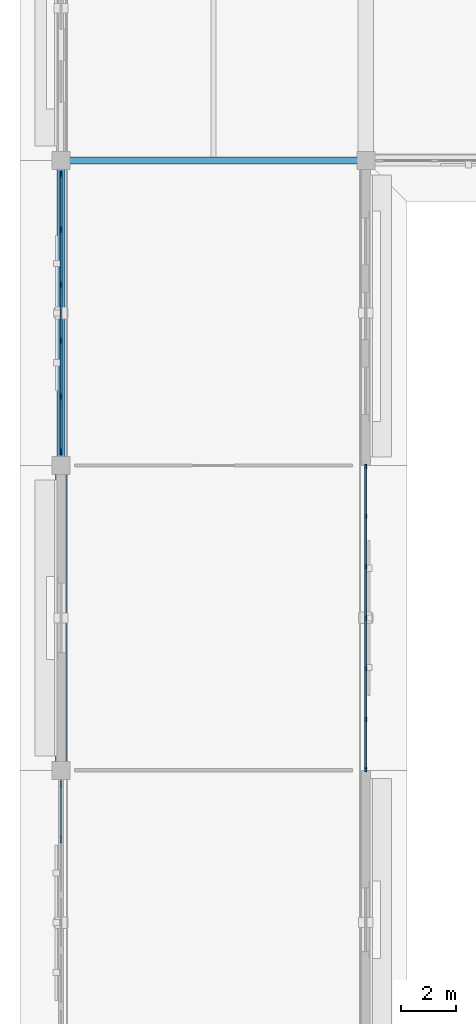
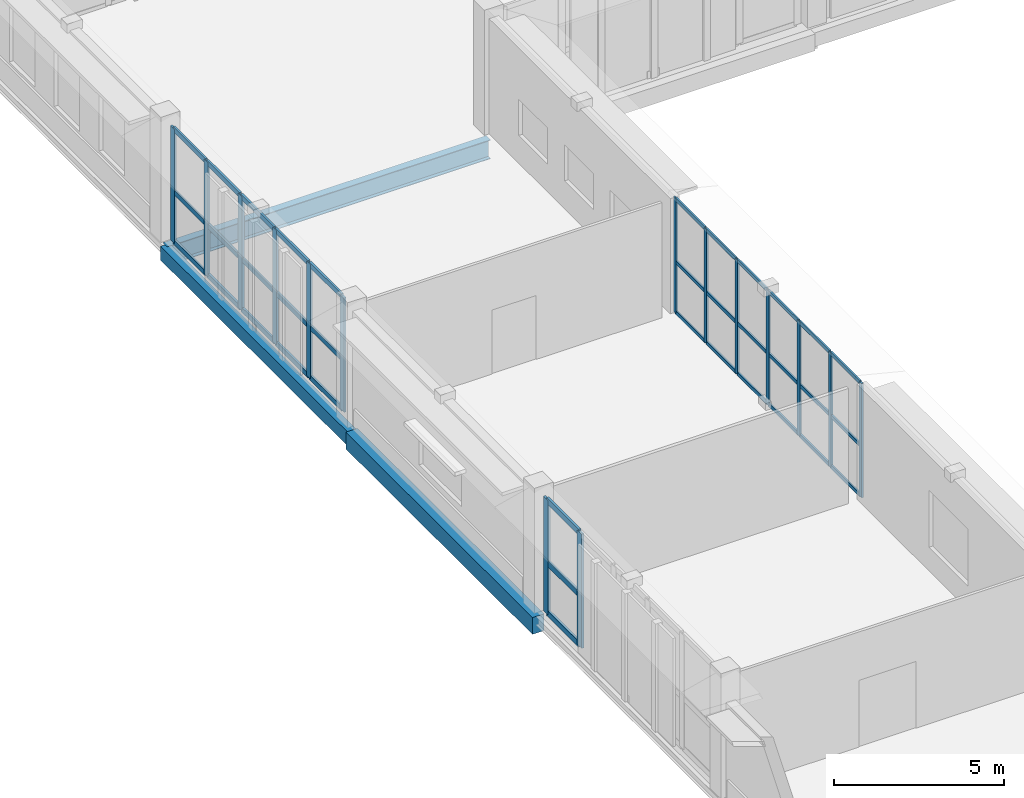
# One storey, part 37 of 118: 51 members, 3 beams, 3 elements without a shape of their own.
"""IFC4 building model written with IfcOpenShell, lengths in metres."""

from ifc_helpers import new_model, si_unit, direction, frame, origin, origin_2d, place, context, subcontext, project, spatial, rectangle, hollow_rectangle, i_section, extrude, material, material_profile, profile_set, type_object, element, aggregate, save


model = new_model("IFC4")

# Units and contexts
model_context = context("Model", 3, precision=1e-05, world=origin(), true_north=direction((0.0, 1.0)))
body_context = subcontext(model_context, "Body", "Model", "MODEL_VIEW")
ifc_project = project(units=[si_unit("LENGTHUNIT", "METRE"), si_unit("AREAUNIT", "SQUARE_METRE"), si_unit("VOLUMEUNIT", "CUBIC_METRE"), si_unit("PLANEANGLEUNIT", "RADIAN"), si_unit("MASSUNIT", "GRAM", prefix="KILO")], contexts=[model_context])

# Site, building, storey
site_placement = place(None, origin())
site = spatial("IfcSite", under=ifc_project, at=site_placement, CompositionType="ELEMENT")
building_placement = place(site_placement, origin())
building = spatial("IfcBuilding", under=site, at=building_placement, Name="Luwafu Chhajja Arena", CompositionType="ELEMENT")
storey_placement = place(building_placement, frame((0.0, 0.0, 10.199951171875)))
storey = spatial("IfcBuildingStorey", under=building, at=storey_placement, Name="L02", CompositionType="ELEMENT", Elevation=10.199951171875)

# Curtain wall, members
ifc_material_1 = material(Name="Anodised bronze aluminium", Category="aluminium")
curtain_wall_type_1 = type_object("IfcCurtainWallType", Name="Community Hall Street Curtain Wall", PredefinedType="USERDEFINED", material=ifc_material_1)
curtain_wall_1_placement = place(storey_placement, origin())
curtain_wall_1 = element("IfcCurtainWall", 1, at=curtain_wall_1_placement, inside=storey, type_object=curtain_wall_type_1, Name="L02 Curtain Wall CWG-L02-V01_06", ObjectType="CURTAIN WALL", PredefinedType="USERDEFINED")
ifc_material_profile_1 = material_profile(ifc_material_1, rectangle(XDim=0.06005859375, YDim=0.159912109375, at=origin_2d()), Name="CWM 60x160")
ifc_profile_set_1 = profile_set([ifc_material_profile_1], Name="Anodised bronze aluminium")
member_type_1 = type_object("IfcMemberType", Name="Bronze Curtain Wall Mullion 60x160", PredefinedType="MULLION", material=ifc_profile_set_1)
member_1_placement = place(storey_placement, frame((11.0, 66.030029296875, 0.030029296875), z_axis=(0.0, 0.0, 1.0), x_axis=(-1.0, 0.0, 0.0)))
member_1 = element("IfcMember", 2, at=member_1_placement, type_object=member_type_1, Name="CW-09 mullion 1", PredefinedType="MULLION", context=body_context, shape_type="SweptSolid", body=[
    extrude(rectangle(XDim=0.06005859375, YDim=0.159912109375, at=origin_2d()), origin(), (0.0, 0.0, 1.0), 4.114990234375),
])
member_2_placement = place(storey_placement, frame((11.0, 67.833251953125, 0.030029296875), z_axis=(0.0, 0.0, 1.0), x_axis=(-1.0, 0.0, 0.0)))
member_2 = element("IfcMember", 3, at=member_2_placement, type_object=member_type_1, Name="CW-09 mullion 2", PredefinedType="MULLION", context=body_context, shape_type="SweptSolid", body=[
    extrude(rectangle(XDim=0.06005859375, YDim=0.159912109375, at=origin_2d()), origin(), (0.0, 0.0, 1.0), 4.114990234375),
])
member_3_placement = place(storey_placement, frame((11.0, 69.666748046875, 0.030029296875), z_axis=(0.0, 0.0, 1.0), x_axis=(-1.0, 0.0, 0.0)))
member_3 = element("IfcMember", 4, at=member_3_placement, type_object=member_type_1, Name="CW-09 mullion 3", PredefinedType="MULLION", context=body_context, shape_type="SweptSolid", body=[
    extrude(rectangle(XDim=0.06005859375, YDim=0.159912109375, at=origin_2d()), origin(), (0.0, 0.0, 1.0), 4.114990234375),
])
member_4_placement = place(storey_placement, frame((11.0, 71.5, 0.030029296875), z_axis=(0.0, 0.0, 1.0), x_axis=(-1.0, 0.0, 0.0)))
member_4 = element("IfcMember", 5, at=member_4_placement, type_object=member_type_1, Name="CW-09 mullion 4", PredefinedType="MULLION", context=body_context, shape_type="SweptSolid", body=[
    extrude(rectangle(XDim=0.06005859375, YDim=0.159912109375, at=origin_2d()), origin(), (0.0, 0.0, 1.0), 4.114990234375),
])
member_5_placement = place(storey_placement, frame((11.0, 73.333251953125, 0.030029296875), z_axis=(0.0, 0.0, 1.0), x_axis=(-1.0, 0.0, 0.0)))
member_5 = element("IfcMember", 6, at=member_5_placement, type_object=member_type_1, Name="CW-09 mullion 5", PredefinedType="MULLION", context=body_context, shape_type="SweptSolid", body=[
    extrude(rectangle(XDim=0.06005859375, YDim=0.159912109375, at=origin_2d()), origin(), (0.0, 0.0, 1.0), 4.114990234375),
])
member_6_placement = place(storey_placement, frame((11.0, 75.166748046875, 0.030029296875), z_axis=(0.0, 0.0, 1.0), x_axis=(-1.0, 0.0, 0.0)))
member_6 = element("IfcMember", 7, at=member_6_placement, type_object=member_type_1, Name="CW-09 mullion 6", PredefinedType="MULLION", context=body_context, shape_type="SweptSolid", body=[
    extrude(rectangle(XDim=0.06005859375, YDim=0.159912109375, at=origin_2d()), origin(), (0.0, 0.0, 1.0), 4.114990234375),
])
member_7_placement = place(storey_placement, frame((11.0, 76.969970703125, 0.030029296875), z_axis=(0.0, 0.0, 1.0), x_axis=(-1.0, 0.0, 0.0)))
member_7 = element("IfcMember", 8, at=member_7_placement, type_object=member_type_1, Name="CW-09 mullion 7", PredefinedType="MULLION", context=body_context, shape_type="SweptSolid", body=[
    extrude(rectangle(XDim=0.06005859375, YDim=0.159912109375, at=origin_2d()), origin(), (0.0, 0.0, 1.0), 4.114990234375),
])

curtain_wall_type_2 = type_object("IfcCurtainWallType", Name="Warm-Up Gallery Curtain Wall", PredefinedType="USERDEFINED", material=ifc_material_1)
curtain_wall_2_placement = place(storey_placement, origin())
curtain_wall_2 = element("IfcCurtainWall", 9, at=curtain_wall_2_placement, inside=storey, type_object=curtain_wall_type_2, Name="L02 Curtain Wall CWG-L02-V00_07", ObjectType="CURTAIN WALL", PredefinedType="USERDEFINED")
ifc_material_profile_2 = material_profile(ifc_material_1, rectangle(XDim=0.070068359375, YDim=0.239990234375, at=origin_2d()), Name="CWM 70x240")
ifc_profile_set_2 = profile_set([ifc_material_profile_2], Name="Anodised bronze aluminium")
member_type_2 = type_object("IfcMemberType", Name="Bronze Curtain Wall Mullion 70x240", PredefinedType="MULLION", material=ifc_profile_set_2)
member_8_placement = place(storey_placement, frame((0.0, 77.5, 0.030029296875), z_axis=(0.0, 0.0, 1.0), x_axis=(-1.0, 0.0, 0.0)))
member_8 = element("IfcMember", 10, at=member_8_placement, type_object=member_type_2, Name="CW-08 mullion 1", PredefinedType="MULLION", context=body_context, shape_type="SweptSolid", body=[
    extrude(rectangle(XDim=0.070068359375, YDim=0.239990234375, at=origin_2d()), origin(), (0.0, 0.0, 1.0), 4.114990234375),
])
member_9_placement = place(storey_placement, frame((0.0, 79.47900390625, 0.030029296875), z_axis=(0.0, 0.0, 1.0), x_axis=(-1.0, 0.0, 0.0)))
member_9 = element("IfcMember", 11, at=member_9_placement, type_object=member_type_2, Name="CW-08 mullion 2", PredefinedType="MULLION", context=body_context, shape_type="SweptSolid", body=[
    extrude(rectangle(XDim=0.070068359375, YDim=0.239990234375, at=origin_2d()), origin(), (0.0, 0.0, 1.0), 4.114990234375),
])
member_10_placement = place(storey_placement, frame((0.0, 81.492919921875, 0.030029296875), z_axis=(0.0, 0.0, 1.0), x_axis=(-1.0, 0.0, 0.0)))
member_10 = element("IfcMember", 12, at=member_10_placement, type_object=member_type_2, Name="CW-08 mullion 3", PredefinedType="MULLION", context=body_context, shape_type="SweptSolid", body=[
    extrude(rectangle(XDim=0.070068359375, YDim=0.239990234375, at=origin_2d()), origin(), (0.0, 0.0, 1.0), 4.114990234375),
])
member_11_placement = place(storey_placement, frame((0.0, 83.507080078125, 0.030029296875), z_axis=(0.0, 0.0, 1.0), x_axis=(-1.0, 0.0, 0.0)))
member_11 = element("IfcMember", 13, at=member_11_placement, type_object=member_type_2, Name="CW-08 mullion 4", PredefinedType="MULLION", context=body_context, shape_type="SweptSolid", body=[
    extrude(rectangle(XDim=0.070068359375, YDim=0.239990234375, at=origin_2d()), origin(), (0.0, 0.0, 1.0), 4.114990234375),
])
member_12_placement = place(storey_placement, frame((0.0, 85.52099609375, 0.030029296875), z_axis=(0.0, 0.0, 1.0), x_axis=(-1.0, 0.0, 0.0)))
member_12 = element("IfcMember", 14, at=member_12_placement, type_object=member_type_2, Name="CW-08 mullion 5", PredefinedType="MULLION", context=body_context, shape_type="SweptSolid", body=[
    extrude(rectangle(XDim=0.070068359375, YDim=0.239990234375, at=origin_2d()), origin(), (0.0, 0.0, 1.0), 4.114990234375),
])
member_13_placement = place(storey_placement, frame((0.0, 87.5, 0.030029296875), z_axis=(0.0, 0.0, 1.0), x_axis=(-1.0, 0.0, 0.0)))
member_13 = element("IfcMember", 15, at=member_13_placement, type_object=member_type_2, Name="CW-08 mullion 6", PredefinedType="MULLION", context=body_context, shape_type="SweptSolid", body=[
    extrude(rectangle(XDim=0.070068359375, YDim=0.239990234375, at=origin_2d()), origin(), (0.0, 0.0, 1.0), 4.114990234375),
])

# Member
ifc_material_profile_3 = material_profile(ifc_material_1, rectangle(XDim=0.06005859375, YDim=0.1298828125, at=origin_2d()), Name="CWT 60x130")
ifc_profile_set_3 = profile_set([ifc_material_profile_3], Name="Anodised bronze aluminium")
member_type_3 = type_object("IfcMemberType", Name="Bronze Curtain Wall Transom 60x130", PredefinedType="USERDEFINED", material=ifc_profile_set_3)
member_14_placement = place(storey_placement, frame((11.0, 66.06005859375, 0.06005859375), z_axis=(0.0, 1.0, 0.0), x_axis=(-1.0, 0.0, 0.0)))
member_14 = element("IfcMember", 16, at=member_14_placement, type_object=member_type_3, Name="CW-09 transom 1.1", ObjectType="TRANSOM", PredefinedType="USERDEFINED", context=body_context, shape_type="SweptSolid", body=[
    extrude(rectangle(XDim=0.06005859375, YDim=0.1298828125, at=origin_2d()), origin(), (0.0, 0.0, 1.0), 1.7431640625),
])

member_15_placement = place(storey_placement, frame((11.0, 66.06005859375, 1.865234375), z_axis=(0.0, 1.0, 0.0), x_axis=(-1.0, 0.0, 0.0)))
member_15 = element("IfcMember", 17, at=member_15_placement, type_object=member_type_3, Name="CW-09 transom 1.2", ObjectType="TRANSOM", PredefinedType="USERDEFINED", context=body_context, shape_type="SweptSolid", body=[
    extrude(rectangle(XDim=0.06005859375, YDim=0.1298828125, at=origin_2d()), origin(), (0.0, 0.0, 1.0), 1.7431640625),
])

member_16_placement = place(storey_placement, frame((11.0, 66.06005859375, 4.114990234375), z_axis=(0.0, 1.0, 0.0), x_axis=(-1.0, 0.0, 0.0)))
member_16 = element("IfcMember", 18, at=member_16_placement, type_object=member_type_3, Name="CW-09 transom 1.3", ObjectType="TRANSOM", PredefinedType="USERDEFINED", context=body_context, shape_type="SweptSolid", body=[
    extrude(rectangle(XDim=0.06005859375, YDim=0.1298828125, at=origin_2d()), origin(), (0.0, 0.0, 1.0), 1.7431640625),
])

member_17_placement = place(storey_placement, frame((11.0, 67.86328125, 0.06005859375), z_axis=(0.0, 1.0, 0.0), x_axis=(-1.0, 0.0, 0.0)))
member_17 = element("IfcMember", 19, at=member_17_placement, type_object=member_type_3, Name="CW-09 transom 2.1", ObjectType="TRANSOM", PredefinedType="USERDEFINED", context=body_context, shape_type="SweptSolid", body=[
    extrude(rectangle(XDim=0.06005859375, YDim=0.1298828125, at=origin_2d()), origin(), (0.0, 0.0, 1.0), 1.7734375),
])

member_18_placement = place(storey_placement, frame((11.0, 67.86328125, 1.865234375), z_axis=(0.0, 1.0, 0.0), x_axis=(-1.0, 0.0, 0.0)))
member_18 = element("IfcMember", 20, at=member_18_placement, type_object=member_type_3, Name="CW-09 transom 2.2", ObjectType="TRANSOM", PredefinedType="USERDEFINED", context=body_context, shape_type="SweptSolid", body=[
    extrude(rectangle(XDim=0.06005859375, YDim=0.1298828125, at=origin_2d()), origin(), (0.0, 0.0, 1.0), 1.7734375),
])

member_19_placement = place(storey_placement, frame((11.0, 67.86328125, 4.114990234375), z_axis=(0.0, 1.0, 0.0), x_axis=(-1.0, 0.0, 0.0)))
member_19 = element("IfcMember", 21, at=member_19_placement, type_object=member_type_3, Name="CW-09 transom 2.3", ObjectType="TRANSOM", PredefinedType="USERDEFINED", context=body_context, shape_type="SweptSolid", body=[
    extrude(rectangle(XDim=0.06005859375, YDim=0.1298828125, at=origin_2d()), origin(), (0.0, 0.0, 1.0), 1.7734375),
])

member_20_placement = place(storey_placement, frame((11.0, 69.69677734375, 0.06005859375), z_axis=(0.0, 1.0, 0.0), x_axis=(-1.0, 0.0, 0.0)))
member_20 = element("IfcMember", 22, at=member_20_placement, type_object=member_type_3, Name="CW-09 transom 3.1", ObjectType="TRANSOM", PredefinedType="USERDEFINED", context=body_context, shape_type="SweptSolid", body=[
    extrude(rectangle(XDim=0.06005859375, YDim=0.1298828125, at=origin_2d()), origin(), (0.0, 0.0, 1.0), 1.773193359375),
])

member_21_placement = place(storey_placement, frame((11.0, 69.69677734375, 1.865234375), z_axis=(0.0, 1.0, 0.0), x_axis=(-1.0, 0.0, 0.0)))
member_21 = element("IfcMember", 23, at=member_21_placement, type_object=member_type_3, Name="CW-09 transom 3.2", ObjectType="TRANSOM", PredefinedType="USERDEFINED", context=body_context, shape_type="SweptSolid", body=[
    extrude(rectangle(XDim=0.06005859375, YDim=0.1298828125, at=origin_2d()), origin(), (0.0, 0.0, 1.0), 1.773193359375),
])

member_22_placement = place(storey_placement, frame((11.0, 69.69677734375, 4.114990234375), z_axis=(0.0, 1.0, 0.0), x_axis=(-1.0, 0.0, 0.0)))
member_22 = element("IfcMember", 24, at=member_22_placement, type_object=member_type_3, Name="CW-09 transom 3.3", ObjectType="TRANSOM", PredefinedType="USERDEFINED", context=body_context, shape_type="SweptSolid", body=[
    extrude(rectangle(XDim=0.06005859375, YDim=0.1298828125, at=origin_2d()), origin(), (0.0, 0.0, 1.0), 1.773193359375),
])

member_23_placement = place(storey_placement, frame((11.0, 71.530029296875, 0.06005859375), z_axis=(0.0, 1.0, 0.0), x_axis=(-1.0, 0.0, 0.0)))
member_23 = element("IfcMember", 25, at=member_23_placement, type_object=member_type_3, Name="CW-09 transom 4.1", ObjectType="TRANSOM", PredefinedType="USERDEFINED", context=body_context, shape_type="SweptSolid", body=[
    extrude(rectangle(XDim=0.06005859375, YDim=0.1298828125, at=origin_2d()), origin(), (0.0, 0.0, 1.0), 1.773193359375),
])

member_24_placement = place(storey_placement, frame((11.0, 71.530029296875, 1.865234375), z_axis=(0.0, 1.0, 0.0), x_axis=(-1.0, 0.0, 0.0)))
member_24 = element("IfcMember", 26, at=member_24_placement, type_object=member_type_3, Name="CW-09 transom 4.2", ObjectType="TRANSOM", PredefinedType="USERDEFINED", context=body_context, shape_type="SweptSolid", body=[
    extrude(rectangle(XDim=0.06005859375, YDim=0.1298828125, at=origin_2d()), origin(), (0.0, 0.0, 1.0), 1.773193359375),
])

member_25_placement = place(storey_placement, frame((11.0, 71.530029296875, 4.114990234375), z_axis=(0.0, 1.0, 0.0), x_axis=(-1.0, 0.0, 0.0)))
member_25 = element("IfcMember", 27, at=member_25_placement, type_object=member_type_3, Name="CW-09 transom 4.3", ObjectType="TRANSOM", PredefinedType="USERDEFINED", context=body_context, shape_type="SweptSolid", body=[
    extrude(rectangle(XDim=0.06005859375, YDim=0.1298828125, at=origin_2d()), origin(), (0.0, 0.0, 1.0), 1.773193359375),
])

member_26_placement = place(storey_placement, frame((11.0, 73.36328125, 0.06005859375), z_axis=(0.0, 1.0, 0.0), x_axis=(-1.0, 0.0, 0.0)))
member_26 = element("IfcMember", 28, at=member_26_placement, type_object=member_type_3, Name="CW-09 transom 5.1", ObjectType="TRANSOM", PredefinedType="USERDEFINED", context=body_context, shape_type="SweptSolid", body=[
    extrude(rectangle(XDim=0.06005859375, YDim=0.1298828125, at=origin_2d()), origin(), (0.0, 0.0, 1.0), 1.7734375),
])

member_27_placement = place(storey_placement, frame((11.0, 73.36328125, 1.865234375), z_axis=(0.0, 1.0, 0.0), x_axis=(-1.0, 0.0, 0.0)))
member_27 = element("IfcMember", 29, at=member_27_placement, type_object=member_type_3, Name="CW-09 transom 5.2", ObjectType="TRANSOM", PredefinedType="USERDEFINED", context=body_context, shape_type="SweptSolid", body=[
    extrude(rectangle(XDim=0.06005859375, YDim=0.1298828125, at=origin_2d()), origin(), (0.0, 0.0, 1.0), 1.7734375),
])

member_28_placement = place(storey_placement, frame((11.0, 73.36328125, 4.114990234375), z_axis=(0.0, 1.0, 0.0), x_axis=(-1.0, 0.0, 0.0)))
member_28 = element("IfcMember", 30, at=member_28_placement, type_object=member_type_3, Name="CW-09 transom 5.3", ObjectType="TRANSOM", PredefinedType="USERDEFINED", context=body_context, shape_type="SweptSolid", body=[
    extrude(rectangle(XDim=0.06005859375, YDim=0.1298828125, at=origin_2d()), origin(), (0.0, 0.0, 1.0), 1.7734375),
])

member_29_placement = place(storey_placement, frame((11.0, 75.19677734375, 0.06005859375), z_axis=(0.0, 1.0, 0.0), x_axis=(-1.0, 0.0, 0.0)))
member_29 = element("IfcMember", 31, at=member_29_placement, type_object=member_type_3, Name="CW-09 transom 6.1", ObjectType="TRANSOM", PredefinedType="USERDEFINED", context=body_context, shape_type="SweptSolid", body=[
    extrude(rectangle(XDim=0.06005859375, YDim=0.1298828125, at=origin_2d()), origin(), (0.0, 0.0, 1.0), 1.7431640625),
])

member_30_placement = place(storey_placement, frame((11.0, 75.19677734375, 1.865234375), z_axis=(0.0, 1.0, 0.0), x_axis=(-1.0, 0.0, 0.0)))
member_30 = element("IfcMember", 32, at=member_30_placement, type_object=member_type_3, Name="CW-09 transom 6.2", ObjectType="TRANSOM", PredefinedType="USERDEFINED", context=body_context, shape_type="SweptSolid", body=[
    extrude(rectangle(XDim=0.06005859375, YDim=0.1298828125, at=origin_2d()), origin(), (0.0, 0.0, 1.0), 1.7431640625),
])

member_31_placement = place(storey_placement, frame((11.0, 75.19677734375, 4.114990234375), z_axis=(0.0, 1.0, 0.0), x_axis=(-1.0, 0.0, 0.0)))
member_31 = element("IfcMember", 33, at=member_31_placement, type_object=member_type_3, Name="CW-09 transom 6.3", ObjectType="TRANSOM", PredefinedType="USERDEFINED", context=body_context, shape_type="SweptSolid", body=[
    extrude(rectangle(XDim=0.06005859375, YDim=0.1298828125, at=origin_2d()), origin(), (0.0, 0.0, 1.0), 1.7431640625),
])

aggregate(curtain_wall_1, [member_1, member_2, member_3, member_4, member_5, member_6, member_7, member_14, member_15, member_16, member_17, member_18, member_19, member_20, member_21, member_22, member_23, member_24, member_25, member_26, member_27, member_28, member_29, member_30, member_31])

ifc_material_profile_4 = material_profile(ifc_material_1, rectangle(XDim=0.070068359375, YDim=0.179931640625, at=origin_2d()), Name="CWT 70x180")
ifc_profile_set_4 = profile_set([ifc_material_profile_4], Name="Anodised bronze aluminium")
member_type_4 = type_object("IfcMemberType", Name="Bronze Curtain Wall Transom 70x180", PredefinedType="USERDEFINED", material=ifc_profile_set_4)
member_32_placement = place(storey_placement, frame((0.0, 77.534912109375, 0.06494140625), z_axis=(0.0, 1.0, 0.0), x_axis=(-1.0, 0.0, 0.0)))
member_32 = element("IfcMember", 34, at=member_32_placement, type_object=member_type_4, Name="CW-08 transom 1.1", ObjectType="TRANSOM", PredefinedType="USERDEFINED", context=body_context, shape_type="SweptSolid", body=[
    extrude(rectangle(XDim=0.070068359375, YDim=0.179931640625, at=origin_2d()), origin(), (0.0, 0.0, 1.0), 1.9091796875),
])

member_33_placement = place(storey_placement, frame((0.0, 77.534912109375, 1.865234375), z_axis=(0.0, 1.0, 0.0), x_axis=(-1.0, 0.0, 0.0)))
member_33 = element("IfcMember", 35, at=member_33_placement, type_object=member_type_4, Name="CW-08 transom 1.2", ObjectType="TRANSOM", PredefinedType="USERDEFINED", context=body_context, shape_type="SweptSolid", body=[
    extrude(rectangle(XDim=0.070068359375, YDim=0.179931640625, at=origin_2d()), origin(), (0.0, 0.0, 1.0), 1.9091796875),
])

member_34_placement = place(storey_placement, frame((0.0, 77.534912109375, 4.110107421875), z_axis=(0.0, 1.0, 0.0), x_axis=(-1.0, 0.0, 0.0)))
member_34 = element("IfcMember", 36, at=member_34_placement, type_object=member_type_4, Name="CW-08 transom 1.3", ObjectType="TRANSOM", PredefinedType="USERDEFINED", context=body_context, shape_type="SweptSolid", body=[
    extrude(rectangle(XDim=0.070068359375, YDim=0.179931640625, at=origin_2d()), origin(), (0.0, 0.0, 1.0), 1.9091796875),
])

member_35_placement = place(storey_placement, frame((0.0, 79.513916015625, 0.06494140625), z_axis=(0.0, 1.0, 0.0), x_axis=(-1.0, 0.0, 0.0)))
member_35 = element("IfcMember", 37, at=member_35_placement, type_object=member_type_4, Name="CW-08 transom 2.1", ObjectType="TRANSOM", PredefinedType="USERDEFINED", context=body_context, shape_type="SweptSolid", body=[
    extrude(rectangle(XDim=0.070068359375, YDim=0.179931640625, at=origin_2d()), origin(), (0.0, 0.0, 1.0), 1.944091796875),
])

member_36_placement = place(storey_placement, frame((0.0, 79.513916015625, 1.865234375), z_axis=(0.0, 1.0, 0.0), x_axis=(-1.0, 0.0, 0.0)))
member_36 = element("IfcMember", 38, at=member_36_placement, type_object=member_type_4, Name="CW-08 transom 2.2", ObjectType="TRANSOM", PredefinedType="USERDEFINED", context=body_context, shape_type="SweptSolid", body=[
    extrude(rectangle(XDim=0.070068359375, YDim=0.179931640625, at=origin_2d()), origin(), (0.0, 0.0, 1.0), 1.944091796875),
])

member_37_placement = place(storey_placement, frame((0.0, 79.513916015625, 4.110107421875), z_axis=(0.0, 1.0, 0.0), x_axis=(-1.0, 0.0, 0.0)))
member_37 = element("IfcMember", 39, at=member_37_placement, type_object=member_type_4, Name="CW-08 transom 2.3", ObjectType="TRANSOM", PredefinedType="USERDEFINED", context=body_context, shape_type="SweptSolid", body=[
    extrude(rectangle(XDim=0.070068359375, YDim=0.179931640625, at=origin_2d()), origin(), (0.0, 0.0, 1.0), 1.944091796875),
])

member_38_placement = place(storey_placement, frame((0.0, 81.528076171875, 0.06494140625), z_axis=(0.0, 1.0, 0.0), x_axis=(-1.0, 0.0, 0.0)))
member_38 = element("IfcMember", 40, at=member_38_placement, type_object=member_type_4, Name="CW-08 transom 3.1", ObjectType="TRANSOM", PredefinedType="USERDEFINED", context=body_context, shape_type="SweptSolid", body=[
    extrude(rectangle(XDim=0.070068359375, YDim=0.179931640625, at=origin_2d()), origin(), (0.0, 0.0, 1.0), 1.94384765625),
])

member_39_placement = place(storey_placement, frame((0.0, 81.528076171875, 1.865234375), z_axis=(0.0, 1.0, 0.0), x_axis=(-1.0, 0.0, 0.0)))
member_39 = element("IfcMember", 41, at=member_39_placement, type_object=member_type_4, Name="CW-08 transom 3.2", ObjectType="TRANSOM", PredefinedType="USERDEFINED", context=body_context, shape_type="SweptSolid", body=[
    extrude(rectangle(XDim=0.070068359375, YDim=0.179931640625, at=origin_2d()), origin(), (0.0, 0.0, 1.0), 1.94384765625),
])

member_40_placement = place(storey_placement, frame((0.0, 81.528076171875, 4.110107421875), z_axis=(0.0, 1.0, 0.0), x_axis=(-1.0, 0.0, 0.0)))
member_40 = element("IfcMember", 42, at=member_40_placement, type_object=member_type_4, Name="CW-08 transom 3.3", ObjectType="TRANSOM", PredefinedType="USERDEFINED", context=body_context, shape_type="SweptSolid", body=[
    extrude(rectangle(XDim=0.070068359375, YDim=0.179931640625, at=origin_2d()), origin(), (0.0, 0.0, 1.0), 1.94384765625),
])

member_41_placement = place(storey_placement, frame((0.0, 83.5419921875, 0.06494140625), z_axis=(0.0, 1.0, 0.0), x_axis=(-1.0, 0.0, 0.0)))
member_41 = element("IfcMember", 43, at=member_41_placement, type_object=member_type_4, Name="CW-08 transom 4.1", ObjectType="TRANSOM", PredefinedType="USERDEFINED", context=body_context, shape_type="SweptSolid", body=[
    extrude(rectangle(XDim=0.070068359375, YDim=0.179931640625, at=origin_2d()), origin(), (0.0, 0.0, 1.0), 1.944091796875),
])

member_42_placement = place(storey_placement, frame((0.0, 83.5419921875, 1.865234375), z_axis=(0.0, 1.0, 0.0), x_axis=(-1.0, 0.0, 0.0)))
member_42 = element("IfcMember", 44, at=member_42_placement, type_object=member_type_4, Name="CW-08 transom 4.2", ObjectType="TRANSOM", PredefinedType="USERDEFINED", context=body_context, shape_type="SweptSolid", body=[
    extrude(rectangle(XDim=0.070068359375, YDim=0.179931640625, at=origin_2d()), origin(), (0.0, 0.0, 1.0), 1.944091796875),
])

member_43_placement = place(storey_placement, frame((0.0, 83.5419921875, 4.110107421875), z_axis=(0.0, 1.0, 0.0), x_axis=(-1.0, 0.0, 0.0)))
member_43 = element("IfcMember", 45, at=member_43_placement, type_object=member_type_4, Name="CW-08 transom 4.3", ObjectType="TRANSOM", PredefinedType="USERDEFINED", context=body_context, shape_type="SweptSolid", body=[
    extrude(rectangle(XDim=0.070068359375, YDim=0.179931640625, at=origin_2d()), origin(), (0.0, 0.0, 1.0), 1.944091796875),
])

member_44_placement = place(storey_placement, frame((0.0, 85.555908203125, 0.06494140625), z_axis=(0.0, 1.0, 0.0), x_axis=(-1.0, 0.0, 0.0)))
member_44 = element("IfcMember", 46, at=member_44_placement, type_object=member_type_4, Name="CW-08 transom 5.1", ObjectType="TRANSOM", PredefinedType="USERDEFINED", context=body_context, shape_type="SweptSolid", body=[
    extrude(rectangle(XDim=0.070068359375, YDim=0.179931640625, at=origin_2d()), origin(), (0.0, 0.0, 1.0), 1.9091796875),
])

member_45_placement = place(storey_placement, frame((0.0, 85.555908203125, 1.865234375), z_axis=(0.0, 1.0, 0.0), x_axis=(-1.0, 0.0, 0.0)))
member_45 = element("IfcMember", 47, at=member_45_placement, type_object=member_type_4, Name="CW-08 transom 5.2", ObjectType="TRANSOM", PredefinedType="USERDEFINED", context=body_context, shape_type="SweptSolid", body=[
    extrude(rectangle(XDim=0.070068359375, YDim=0.179931640625, at=origin_2d()), origin(), (0.0, 0.0, 1.0), 1.9091796875),
])

member_46_placement = place(storey_placement, frame((0.0, 85.555908203125, 4.110107421875), z_axis=(0.0, 1.0, 0.0), x_axis=(-1.0, 0.0, 0.0)))
member_46 = element("IfcMember", 48, at=member_46_placement, type_object=member_type_4, Name="CW-08 transom 5.3", ObjectType="TRANSOM", PredefinedType="USERDEFINED", context=body_context, shape_type="SweptSolid", body=[
    extrude(rectangle(XDim=0.070068359375, YDim=0.179931640625, at=origin_2d()), origin(), (0.0, 0.0, 1.0), 1.9091796875),
])

aggregate(curtain_wall_2, [member_8, member_9, member_10, member_11, member_12, member_13, member_32, member_33, member_34, member_35, member_36, member_37, member_38, member_39, member_40, member_41, member_42, member_43, member_44, member_45, member_46])

# Curtain wall, members
curtain_wall_type_3 = type_object("IfcCurtainWallType", Name="Pishtaq Monumental Portal Curtain Wall", PredefinedType="USERDEFINED", material=ifc_material_1)
curtain_wall_3_placement = place(storey_placement, origin())
curtain_wall_3 = element("IfcCurtainWall", 49, at=curtain_wall_3_placement, inside=storey, type_object=curtain_wall_type_3, Name="L02 Curtain Wall CWG-L02-V00_05", ObjectType="CURTAIN WALL", PredefinedType="USERDEFINED")
ifc_material_profile_5 = material_profile(ifc_material_1, rectangle(XDim=0.080078125, YDim=0.280029296875, at=origin_2d()), Name="CWM 80x280")
ifc_profile_set_5 = profile_set([ifc_material_profile_5], Name="Anodised bronze aluminium")
member_type_5 = type_object("IfcMemberType", Name="Pishtaq Portal Mullion 80x280", PredefinedType="MULLION", material=ifc_profile_set_5)
member_47_placement = place(storey_placement, frame((0.0, 63.52099609375, 0.030029296875), z_axis=(0.0, 0.0, 1.0), x_axis=(-1.0, 0.0, 0.0)))
member_47 = element("IfcMember", 50, at=member_47_placement, type_object=member_type_5, Name="CW-04 mullion 5", PredefinedType="MULLION", context=body_context, shape_type="SweptSolid", body=[
    extrude(rectangle(XDim=0.080078125, YDim=0.280029296875, at=origin_2d()), origin(), (0.0, 0.0, 1.0), 4.114990234375),
])
member_48_placement = place(storey_placement, frame((0.0, 65.4951171875, 0.030029296875), z_axis=(0.0, 0.0, 1.0), x_axis=(-1.0, 0.0, 0.0)))
member_48 = element("IfcMember", 51, at=member_48_placement, type_object=member_type_5, Name="CW-04 mullion 6", PredefinedType="MULLION", context=body_context, shape_type="SweptSolid", body=[
    extrude(rectangle(XDim=0.080078125, YDim=0.280029296875, at=origin_2d()), origin(), (0.0, 0.0, 1.0), 4.114990234375),
])
ifc_material_profile_6 = material_profile(ifc_material_1, rectangle(XDim=0.080078125, YDim=0.2099609375, at=origin_2d()), Name="CWT 80x210")
ifc_profile_set_6 = profile_set([ifc_material_profile_6], Name="Anodised bronze aluminium")
member_type_6 = type_object("IfcMemberType", Name="Pishtaq Portal Transom 80x210", PredefinedType="USERDEFINED", material=ifc_profile_set_6)
member_49_placement = place(storey_placement, frame((0.0, 63.56103515625, 0.070068359375), z_axis=(0.0, 1.0, 0.0), x_axis=(-1.0, 0.0, 0.0)))
member_49 = element("IfcMember", 52, at=member_49_placement, type_object=member_type_6, Name="CW-04 transom 5.1", ObjectType="TRANSOM", PredefinedType="USERDEFINED", context=body_context, shape_type="SweptSolid", body=[
    extrude(rectangle(XDim=0.080078125, YDim=0.2099609375, at=origin_2d()), origin(), (0.0, 0.0, 1.0), 1.89404296875),
])
member_50_placement = place(storey_placement, frame((0.0, 63.56103515625, 1.865234375), z_axis=(0.0, 1.0, 0.0), x_axis=(-1.0, 0.0, 0.0)))
member_50 = element("IfcMember", 53, at=member_50_placement, type_object=member_type_6, Name="CW-04 transom 5.2", ObjectType="TRANSOM", PredefinedType="USERDEFINED", context=body_context, shape_type="SweptSolid", body=[
    extrude(rectangle(XDim=0.080078125, YDim=0.2099609375, at=origin_2d()), origin(), (0.0, 0.0, 1.0), 1.89404296875),
])
member_51_placement = place(storey_placement, frame((0.0, 63.56103515625, 4.10498046875), z_axis=(0.0, 1.0, 0.0), x_axis=(-1.0, 0.0, 0.0)))
member_51 = element("IfcMember", 54, at=member_51_placement, type_object=member_type_6, Name="CW-04 transom 5.3", ObjectType="TRANSOM", PredefinedType="USERDEFINED", context=body_context, shape_type="SweptSolid", body=[
    extrude(rectangle(XDim=0.080078125, YDim=0.2099609375, at=origin_2d()), origin(), (0.0, 0.0, 1.0), 1.89404296875),
])
aggregate(curtain_wall_3, [member_47, member_48, member_49, member_50, member_51])

# Beams
ifc_material_2 = material(Name="Steel S355", Category="steel")
ifc_material_profile_7 = material_profile(ifc_material_2, hollow_rectangle(XDim=0.300048828125, YDim=0.5, WallThickness=0.02001953125, at=origin_2d()), Name="RHS 500x300x20")
ifc_profile_set_7 = profile_set([ifc_material_profile_7], Name="Steel S355")
beam_type_1 = type_object("IfcBeamType", Name="Pleated Drum Spandrel Beam RHS 500x300", PredefinedType="SPANDREL", material=ifc_profile_set_7)
beam_1_placement = place(storey_placement, frame((0.0, 77.0, -0.639892578125), z_axis=(0.0, 1.0, 0.0), x_axis=(-1.0, 0.0, 0.0)))
element("IfcBeam", 55, at=beam_1_placement, inside=storey, type_object=beam_type_1, Name="L02 Grid Beam 1/H-J", PredefinedType="SPANDREL", context=body_context, shape_type="SweptSolid", body=[
    extrude(hollow_rectangle(XDim=0.300048828125, YDim=0.5, WallThickness=0.02001953125, at=origin_2d()), origin(), (0.0, 0.0, 1.0), 11.0),
])
ifc_material_3 = material(Name="Concrete C35/45", Category="concrete")
ifc_material_profile_8 = material_profile(ifc_material_3, rectangle(XDim=0.39990234375, YDim=0.60009765625, at=origin_2d()), Name="RC 400x600")
ifc_profile_set_8 = profile_set([ifc_material_profile_8], Name="Concrete C35/45")
beam_type_2 = type_object("IfcBeamType", Name="Podium Perimeter Spandrel RC 400x600", PredefinedType="SPANDREL", material=ifc_profile_set_8)
beam_2_placement = place(storey_placement, frame((0.0, 66.0, -0.68994140625), z_axis=(0.0, 1.0, 0.0), x_axis=(-1.0, 0.0, 0.0)))
element("IfcBeam", 56, at=beam_2_placement, inside=storey, type_object=beam_type_2, Name="L02 Grid Beam 1/G-H", PredefinedType="SPANDREL", context=body_context, shape_type="SweptSolid", body=[
    extrude(rectangle(XDim=0.39990234375, YDim=0.60009765625, at=origin_2d()), origin(), (0.0, 0.0, 1.0), 11.0),
])
ifc_material_profile_9 = material_profile(ifc_material_2, i_section(OverallWidth=0.253662109375, OverallDepth=0.68359375, WebThickness=0.012451171875, FlangeThickness=0.01904296875, at=origin_2d()), Name="UB 686x254x140")
ifc_profile_set_9 = profile_set([ifc_material_profile_9], Name="Steel S355")
beam_type_3 = type_object("IfcBeamType", Name="Steel Concourse Girder UB 686x254x140", PredefinedType="BEAM", material=ifc_profile_set_9)
beam_3_placement = place(storey_placement, frame((0.0, 88.0, -0.731689453125), z_axis=(1.0, 0.0, 0.0), x_axis=(0.0, 1.0, 0.0)))
element("IfcBeam", 57, at=beam_3_placement, inside=storey, type_object=beam_type_3, Name="L02 Grid Beam 1-2/J", PredefinedType="BEAM", context=body_context, shape_type="SweptSolid", body=[
    extrude(i_section(OverallWidth=0.253662109375, OverallDepth=0.68359375, WebThickness=0.012451171875, FlangeThickness=0.01904296875, at=origin_2d()), origin(), (0.0, 0.0, 1.0), 11.0),
])

save(model, "model.ifc")
